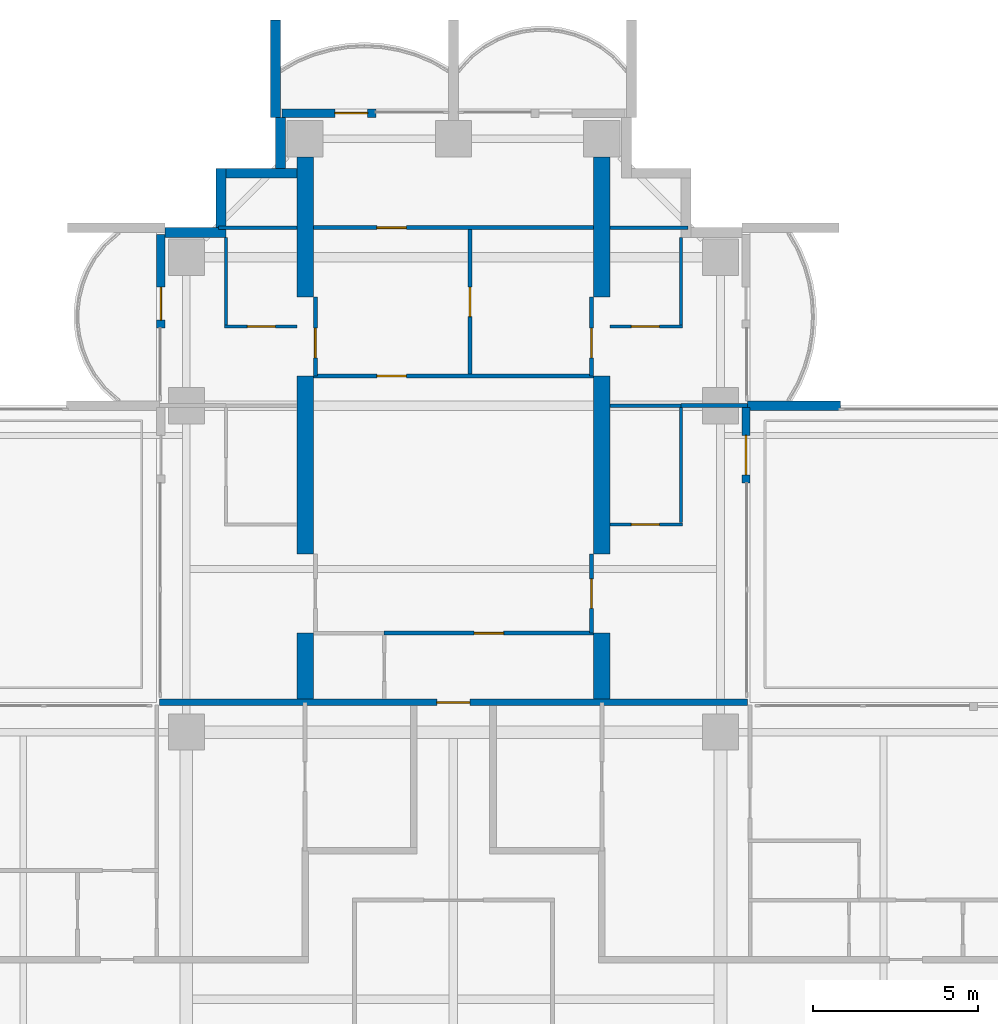
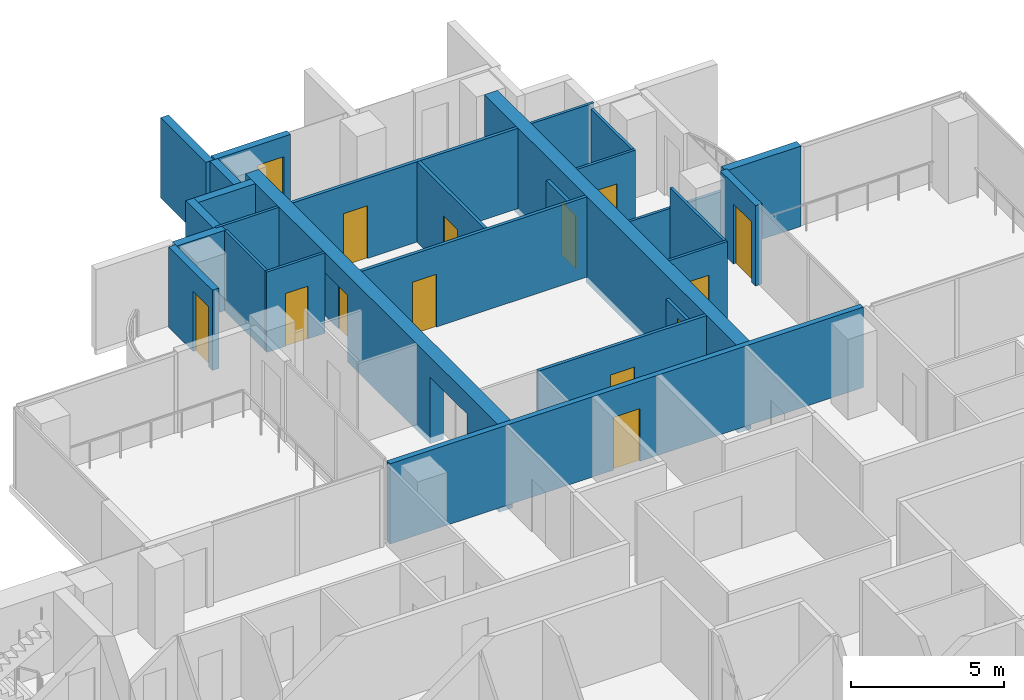
# One storey, part 14 of 19: 29 walls, 14 doors, 14 openings.
"""IFC4 building model written with IfcOpenShell, lengths in metres."""

from ifc_helpers import new_model, si_unit, direction, frame, frame_2d, origin, place, context, subcontext, project, spatial, polyline, rectangle, outline, extrude, material, layer, layer_set, material_profile, profile_set, type_object, element, fill, save


model = new_model("IFC4")

# Units and contexts
model_context = context("Model", 3, precision=1e-05, world=origin(), true_north=direction((0.0, 1.0)))
body_context = subcontext(model_context, "Body", "Model", "MODEL_VIEW")
ifc_project = project(units=[si_unit("LENGTHUNIT", "METRE"), si_unit("AREAUNIT", "SQUARE_METRE"), si_unit("VOLUMEUNIT", "CUBIC_METRE"), si_unit("PLANEANGLEUNIT", "RADIAN"), si_unit("MASSUNIT", "GRAM", prefix="KILO")], contexts=[model_context])

# Site, building, storey
site_placement = place(None, origin())
site = spatial("IfcSite", under=ifc_project, at=site_placement, CompositionType="ELEMENT")
building_placement = place(site_placement, origin())
building = spatial("IfcBuilding", under=site, at=building_placement, Name="Perihelion Cross Residences", CompositionType="ELEMENT")
storey_placement = place(building_placement, frame((0.0, 0.0, 151.39990234375)))
storey = spatial("IfcBuildingStorey", under=building, at=storey_placement, Name="L37", CompositionType="ELEMENT", Elevation=151.39990234375)

# Wall, opening, door
ifc_material_1 = material(Name="Plasterboard partition")
ifc_layer_1 = layer(ifc_material_1, 0.199951171875)
ifc_layer_set_1 = layer_set([ifc_layer_1], Name="Apartment separation wall 200")
wall_type_1 = type_object("IfcWallType", Name="Apartment separation wall 200", PredefinedType="PARTITIONING", material=ifc_layer_set_1)
wall_1_placement = place(storey_placement, frame((-8.919921875, 9.0, 0.0), z_axis=(0.0, 0.0, 1.0), x_axis=(1.0, 0.0, 0.0)))
wall_1 = element("IfcWall", 1, at=wall_1_placement, inside=storey, type_object=wall_type_1, Name="Partition L37 W021", PredefinedType="PARTITIONING", context=body_context, shape_type="SweptSolid", body=[
    extrude(rectangle(XDim=17.83984375, YDim=0.199951171875, at=frame_2d((8.919921875, 0.0))), origin(), (0.0, 0.0, 1.0), 3.2001953125),
])
opening_1_placement = place(wall_1_placement, frame((8.419921875, 0.0, 0.0)))
opening_1 = element("IfcOpeningElement", 2, at=opening_1_placement, cuts=wall_1, Name="Opening L37.A34", PredefinedType="OPENING", context=body_context, shape_type="SweptSolid", body=[
    extrude(rectangle(XDim=1.0, YDim=2.10009765625, at=frame_2d((0.5, 1.050048828125))), frame((0.0, 0.10986328125, 0.0), z_axis=(0.0, -1.0, 0.0), x_axis=(1.0, 0.0, 0.0)), (0.0, 0.0, 1.0), 0.219970703125),
])
ifc_material_2 = material(Name="Timber door leaf", Category="wood")
door_type_1 = type_object("IfcDoorType", Name="Flat entrance door 1000 x 2100", OperationType="SINGLE_SWING_LEFT", PredefinedType="DOOR", material=ifc_material_2)
door_1_placement = place(opening_1_placement, origin())
door_1 = element("IfcDoor", 3, at=door_1_placement, inside=storey, type_object=door_type_1, Name="Door L37.A34", OperationType="SINGLE_SWING_RIGHT", OverallHeight=2.10009765625, OverallWidth=1.0, PredefinedType="DOOR", context=body_context, shape_type="SweptSolid", body=[
    extrude(rectangle(XDim=1.0, YDim=2.10009765625, at=frame_2d((0.5, 1.050048828125))), frame((0.0, 0.02490234375, 0.0), z_axis=(0.0, -1.0, 0.0), x_axis=(1.0, 0.0, 0.0)), (0.0, 0.0, 1.0), 0.050048828125),
])
fill(opening_1, door_1)

ifc_material_3 = material(Name="Concrete C30/37, bronze-clad", Category="concrete")
ifc_layer_2 = layer(ifc_material_3, 0.25)
ifc_layer_set_2 = layer_set([ifc_layer_2], Name="Bronze-clad pier wall 250")
wall_type_2 = type_object("IfcWallType", Name="Bronze-clad pier wall 250", PredefinedType="SOLIDWALL", material=ifc_layer_set_2)
wall_2_placement = place(storey_placement, frame((8.875, 15.64990234375, 0.0), z_axis=(0.0, 0.0, 1.0), x_axis=(0.0, 1.0, 0.0)))
wall_2 = element("IfcWall", 4, at=wall_2_placement, inside=storey, type_object=wall_type_2, Name="Wall FW1 L37 north side east bay 1 pier", PredefinedType="SOLIDWALL", context=body_context, shape_type="SweptSolid", body=[
    extrude(rectangle(XDim=2.2900390625, YDim=0.25, at=frame_2d((1.14501953125, 0.0))), origin(), (0.0, 0.0, 1.0), 3.2001953125),
])
opening_2_placement = place(wall_2_placement, frame((0.25, 0.0, 0.0)))
opening_2 = element("IfcOpeningElement", 5, at=opening_2_placement, cuts=wall_2, Name="Opening L37.E02", PredefinedType="OPENING", context=body_context, shape_type="SweptSolid", body=[
    extrude(rectangle(XDim=1.199951171875, YDim=2.39990234375, at=frame_2d((0.60009765625, 1.199951171875))), frame((0.0, 0.135009765625, 0.0), z_axis=(0.0, -1.0, 0.0), x_axis=(1.0, 0.0, 0.0)), (0.0, 0.0, 1.0), 0.27001953125),
])
ifc_material_4 = material(Name="Bronze anodised aluminium, glazed", Category="aluminium")
door_type_2 = type_object("IfcDoorType", Name="Balcony door 1200 x 2400", OperationType="NOTDEFINED", PredefinedType="DOOR", material=ifc_material_4)
door_2_placement = place(opening_2_placement, origin())
door_2 = element("IfcDoor", 6, at=door_2_placement, inside=storey, type_object=door_type_2, Name="Door L37.E02 north side east bay 1", OperationType="SINGLE_SWING_LEFT", OverallHeight=2.39990234375, OverallWidth=1.199951171875, PredefinedType="DOOR", context=body_context, shape_type="SweptSolid", body=[
    extrude(rectangle(XDim=1.199951171875, YDim=2.39990234375, at=frame_2d((0.60009765625, 1.199951171875))), frame((0.0, 0.02490234375, 0.0), z_axis=(0.0, -1.0, 0.0), x_axis=(1.0, 0.0, 0.0)), (0.0, 0.0, 1.0), 0.050048828125),
])
fill(opening_2, door_2)

wall_3_placement = place(storey_placement, frame((-2.35009765625, 26.875, 0.0), z_axis=(0.0, 0.0, 1.0), x_axis=(-1.0, 0.0, 0.0)))
wall_3 = element("IfcWall", 7, at=wall_3_placement, inside=storey, type_object=wall_type_2, Name="Wall FW1 L37 north tip north bay 2 pier", PredefinedType="SOLIDWALL", context=body_context, shape_type="SweptSolid", body=[
    extrude(rectangle(XDim=2.849853515625, YDim=0.25, at=frame_2d((1.4248046875, 0.0))), origin(), (0.0, 0.0, 1.0), 3.2001953125),
])
opening_3_placement = place(wall_3_placement, frame((0.25, 0.0, 0.0)))
opening_3 = element("IfcOpeningElement", 8, at=opening_3_placement, cuts=wall_3, Name="Opening L37.E05", PredefinedType="OPENING", context=body_context, shape_type="SweptSolid", body=[
    extrude(rectangle(XDim=1.0, YDim=2.39990234375, at=frame_2d((0.5, 1.199951171875))), frame((0.0, 0.135009765625, 0.0), z_axis=(0.0, -1.0, 0.0), x_axis=(1.0, 0.0, 0.0)), (0.0, 0.0, 1.0), 0.27001953125),
])
ifc_material_5 = material(Name="Bronze anodised aluminium, glazed", Category="aluminium")
door_type_3 = type_object("IfcDoorType", Name="Balcony door 1000 x 2400", OperationType="NOTDEFINED", PredefinedType="DOOR", material=ifc_material_5)
door_3_placement = place(opening_3_placement, origin())
door_3 = element("IfcDoor", 9, at=door_3_placement, inside=storey, type_object=door_type_3, Name="Door L37.E05 north tip north bay 2", OperationType="SINGLE_SWING_RIGHT", OverallHeight=2.39990234375, OverallWidth=1.0, PredefinedType="DOOR", context=body_context, shape_type="SweptSolid", body=[
    extrude(rectangle(XDim=1.0, YDim=2.39990234375, at=frame_2d((0.5, 1.199951171875))), frame((0.0, 0.02490234375, 0.0), z_axis=(0.0, -1.0, 0.0), x_axis=(1.0, 0.0, 0.0)), (0.0, 0.0, 1.0), 0.050048828125),
])
fill(opening_3, door_3)

wall_4_placement = place(storey_placement, frame((-8.875, 23.199951171875, 0.0), z_axis=(0.0, 0.0, 1.0), x_axis=(0.0, -1.0, 0.0)))
wall_4 = element("IfcWall", 10, at=wall_4_placement, inside=storey, type_object=wall_type_2, Name="Wall FW1 L37 north side west bay 1 pier", PredefinedType="SOLIDWALL", context=body_context, shape_type="SweptSolid", body=[
    extrude(rectangle(XDim=2.849853515625, YDim=0.25, at=frame_2d((1.4248046875, 0.0))), origin(), (0.0, 0.0, 1.0), 3.2001953125),
])
opening_4_placement = place(wall_4_placement, frame((1.60009765625, 0.0, 0.0)))
opening_4 = element("IfcOpeningElement", 11, at=opening_4_placement, cuts=wall_4, Name="Opening L37.E06", PredefinedType="OPENING", context=body_context, shape_type="SweptSolid", body=[
    extrude(rectangle(XDim=1.0, YDim=2.39990234375, at=frame_2d((0.5, 1.199951171875))), frame((0.0, 0.135009765625, 0.0), z_axis=(0.0, -1.0, 0.0), x_axis=(1.0, 0.0, 0.0)), (0.0, 0.0, 1.0), 0.27001953125),
])
door_4_placement = place(opening_4_placement, origin())
door_4 = element("IfcDoor", 12, at=door_4_placement, inside=storey, type_object=door_type_3, Name="Door L37.E06 north side west bay 1", OperationType="SINGLE_SWING_LEFT", OverallHeight=2.39990234375, OverallWidth=1.0, PredefinedType="DOOR", context=body_context, shape_type="SweptSolid", body=[
    extrude(rectangle(XDim=1.0, YDim=2.39990234375, at=frame_2d((0.5, 1.199951171875))), frame((0.0, 0.02490234375, 0.0), z_axis=(0.0, -1.0, 0.0), x_axis=(1.0, 0.0, 0.0)), (0.0, 0.0, 1.0), 0.050048828125),
])
fill(opening_4, door_4)

# Walls
ifc_material_6 = material(Name="Concrete C30/37, bronze-clad", Category="concrete")
ifc_layer_3 = layer(ifc_material_6, 0.300048828125)
ifc_layer_set_3 = layer_set([ifc_layer_3], Name="Bronze-clad serration wall 300")
wall_type_3 = type_object("IfcWallType", Name="Bronze-clad serration wall 300", PredefinedType="SOLIDWALL", material=ifc_layer_set_3)
wall_5_placement = place(storey_placement, frame((-5.25, 26.75, 0.0), z_axis=(0.0, 0.0, 1.0), x_axis=(0.0, -1.0, 0.0)))
element("IfcWall", 13, at=wall_5_placement, inside=storey, type_object=wall_type_3, Name="Wall SR1 L37 north corner north-west 1", PredefinedType="SOLIDWALL", context=body_context, shape_type="SweptSolid", body=[
    extrude(rectangle(XDim=1.550048828125, YDim=0.300048828125, at=frame_2d((0.77490234375, 0.0))), origin(), (0.0, 0.0, 1.0), 3.2001953125),
])
wall_6_placement = place(storey_placement, frame((-4.75, 25.050048828125, 0.0), z_axis=(0.0, 0.0, 1.0), x_axis=(-1.0, 0.0, 0.0)))
element("IfcWall", 14, at=wall_6_placement, inside=storey, type_object=wall_type_3, Name="Wall SR1 L37 north corner north-west 2", PredefinedType="SOLIDWALL", context=body_context, shape_type="SweptSolid", body=[
    extrude(rectangle(XDim=2.14990234375, YDim=0.300048828125, at=frame_2d((1.074951171875, 0.0))), origin(), (0.0, 0.0, 1.0), 3.2001953125),
])
wall_7_placement = place(storey_placement, frame((-7.050048828125, 25.199951171875, 0.0), z_axis=(0.0, 0.0, 1.0), x_axis=(0.0, -1.0, 0.0)))
element("IfcWall", 15, at=wall_7_placement, inside=storey, type_object=wall_type_3, Name="Wall SR1 L37 north corner north-west 3", PredefinedType="SOLIDWALL", context=body_context, shape_type="SweptSolid", body=[
    extrude(rectangle(XDim=1.800048828125, YDim=0.300048828125, at=frame_2d((0.89990234375, 0.0))), origin(), (0.0, 0.0, 1.0), 3.2001953125),
])
wall_8_placement = place(storey_placement, frame((-6.89990234375, 23.25, 0.0), z_axis=(0.0, 0.0, 1.0), x_axis=(-1.0, 0.0, 0.0)))
element("IfcWall", 16, at=wall_8_placement, inside=storey, type_object=wall_type_3, Name="Wall SR1 L37 north corner north-west 4", PredefinedType="SOLIDWALL", context=body_context, shape_type="SweptSolid", body=[
    extrude(rectangle(XDim=1.85009765625, YDim=0.300048828125, at=frame_2d((0.925048828125, 0.0))), origin(), (0.0, 0.0, 1.0), 3.2001953125),
])

# Wall, opening, door
ifc_material_7 = material(Name="Plasterboard partition")
ifc_layer_4 = layer(ifc_material_7, 0.1201171875)
ifc_layer_set_4 = layer_set([ifc_layer_4], Name="Infill panel 120")
wall_type_4 = type_object("IfcWallType", Name="Infill panel 120", PredefinedType="PARTITIONING", material=ifc_layer_set_4)
wall_9_placement = place(storey_placement, frame((4.18994140625, 11.10009765625, 0.0), z_axis=(0.0, 0.0, 1.0), x_axis=(0.0, 1.0, 0.0)))
wall_9 = element("IfcWall", 17, at=wall_9_placement, inside=storey, type_object=wall_type_4, Name="Partition L37 WI01", PredefinedType="PARTITIONING", context=body_context, shape_type="SweptSolid", body=[
    extrude(rectangle(XDim=2.39990234375, YDim=0.1201171875, at=frame_2d((1.199951171875, 0.0))), origin(), (0.0, 0.0, 1.0), 2.400146484375),
])
opening_5_placement = place(wall_9_placement, frame((0.75, 0.0, 0.0)))
opening_5 = element("IfcOpeningElement", 18, at=opening_5_placement, cuts=wall_9, Name="Opening L37.A54", PredefinedType="OPENING", context=body_context, shape_type="SweptSolid", body=[
    extrude(rectangle(XDim=0.89990234375, YDim=2.10009765625, at=frame_2d((0.449951171875, 1.050048828125))), frame((0.0, 0.070068359375, 0.0), z_axis=(0.0, -1.0, 0.0), x_axis=(1.0, 0.0, 0.0)), (0.0, 0.0, 1.0), 0.14013671875),
])
ifc_material_8 = material(Name="Timber door leaf", Category="wood")
door_type_4 = type_object("IfcDoorType", Name="Interior room door 900 x 2100", OperationType="SINGLE_SWING_LEFT", PredefinedType="DOOR", material=ifc_material_8)
door_5_placement = place(opening_5_placement, origin())
door_5 = element("IfcDoor", 19, at=door_5_placement, inside=storey, type_object=door_type_4, Name="Door L37.A54", OperationType="SINGLE_SWING_RIGHT", OverallHeight=2.10009765625, OverallWidth=0.89990234375, PredefinedType="DOOR", context=body_context, shape_type="SweptSolid", body=[
    extrude(rectangle(XDim=0.89990234375, YDim=2.10009765625, at=frame_2d((0.449951171875, 1.050048828125))), frame((0.0, 0.02490234375, 0.0), z_axis=(0.0, -1.0, 0.0), x_axis=(1.0, 0.0, 0.0)), (0.0, 0.0, 1.0), 0.050048828125),
])
fill(opening_5, door_5)

wall_10_placement = place(storey_placement, frame((4.18994140625, 18.89990234375, 0.0), z_axis=(0.0, 0.0, 1.0), x_axis=(0.0, 1.0, 0.0)))
wall_10 = element("IfcWall", 20, at=wall_10_placement, inside=storey, type_object=wall_type_4, Name="Partition L37 WI02", PredefinedType="PARTITIONING", context=body_context, shape_type="SweptSolid", body=[
    extrude(rectangle(XDim=2.400146484375, YDim=0.1201171875, at=frame_2d((1.2001953125, 0.0))), origin(), (0.0, 0.0, 1.0), 2.400146484375),
])
opening_6_placement = place(wall_10_placement, frame((0.550048828125, 0.0, 0.0)))
opening_6 = element("IfcOpeningElement", 21, at=opening_6_placement, cuts=wall_10, Name="Opening L37.A55", PredefinedType="OPENING", context=body_context, shape_type="SweptSolid", body=[
    extrude(rectangle(XDim=0.89990234375, YDim=2.10009765625, at=frame_2d((0.449951171875, 1.050048828125))), frame((0.0, 0.070068359375, 0.0), z_axis=(0.0, -1.0, 0.0), x_axis=(1.0, 0.0, 0.0)), (0.0, 0.0, 1.0), 0.14013671875),
])
door_6_placement = place(opening_6_placement, origin())
door_6 = element("IfcDoor", 22, at=door_6_placement, inside=storey, type_object=door_type_4, Name="Door L37.A55", OperationType="SINGLE_SWING_LEFT", OverallHeight=2.10009765625, OverallWidth=0.89990234375, PredefinedType="DOOR", context=body_context, shape_type="SweptSolid", body=[
    extrude(rectangle(XDim=0.89990234375, YDim=2.10009765625, at=frame_2d((0.449951171875, 1.050048828125))), frame((0.0, 0.02490234375, 0.0), z_axis=(0.0, -1.0, 0.0), x_axis=(1.0, 0.0, 0.0)), (0.0, 0.0, 1.0), 0.050048828125),
])
fill(opening_6, door_6)

wall_11_placement = place(storey_placement, frame((-4.18994140625, 18.89990234375, 0.0), z_axis=(0.0, 0.0, 1.0), x_axis=(0.0, 1.0, 0.0)))
wall_11 = element("IfcWall", 23, at=wall_11_placement, inside=storey, type_object=wall_type_4, Name="Partition L37 WI04", PredefinedType="PARTITIONING", context=body_context, shape_type="SweptSolid", body=[
    extrude(rectangle(XDim=2.400146484375, YDim=0.1201171875, at=frame_2d((1.2001953125, 0.0))), origin(), (0.0, 0.0, 1.0), 2.400146484375),
])
opening_7_placement = place(wall_11_placement, frame((0.550048828125, 0.0, 0.0)))
opening_7 = element("IfcOpeningElement", 24, at=opening_7_placement, cuts=wall_11, Name="Opening L37.A57", PredefinedType="OPENING", context=body_context, shape_type="SweptSolid", body=[
    extrude(rectangle(XDim=0.89990234375, YDim=2.10009765625, at=frame_2d((0.449951171875, 1.050048828125))), frame((0.0, 0.070068359375, 0.0), z_axis=(0.0, -1.0, 0.0), x_axis=(1.0, 0.0, 0.0)), (0.0, 0.0, 1.0), 0.14013671875),
])
door_7_placement = place(opening_7_placement, origin())
door_7 = element("IfcDoor", 25, at=door_7_placement, inside=storey, type_object=door_type_4, Name="Door L37.A57", OperationType="SINGLE_SWING_RIGHT", OverallHeight=2.10009765625, OverallWidth=0.89990234375, PredefinedType="DOOR", context=body_context, shape_type="SweptSolid", body=[
    extrude(rectangle(XDim=0.89990234375, YDim=2.10009765625, at=frame_2d((0.449951171875, 1.050048828125))), frame((0.0, 0.02490234375, 0.0), z_axis=(0.0, -1.0, 0.0), x_axis=(1.0, 0.0, 0.0)), (0.0, 0.0, 1.0), 0.050048828125),
])
fill(opening_7, door_7)

ifc_material_9 = material(Name="Plasterboard partition")
ifc_layer_5 = layer(ifc_material_9, 0.1201171875)
ifc_layer_set_5 = layer_set([ifc_layer_5], Name="Partition wall 120")
wall_type_5 = type_object("IfcWallType", Name="Partition wall 120", PredefinedType="PARTITIONING", material=ifc_layer_set_5)
wall_12_placement = place(storey_placement, frame((-2.10009765625, 11.10009765625, 0.0), z_axis=(0.0, 0.0, 1.0), x_axis=(1.0, 0.0, 0.0)))
wall_12 = element("IfcWall", 26, at=wall_12_placement, inside=storey, type_object=wall_type_5, Name="Partition L37 W068", PredefinedType="PARTITIONING", context=body_context, shape_type="SweptSolid", body=[
    extrude(rectangle(XDim=6.35009765625, YDim=0.1201171875, at=frame_2d((3.175048828125, 0.0))), origin(), (0.0, 0.0, 1.0), 3.2001953125),
])
opening_8_placement = place(wall_12_placement, frame((2.72509765625, 0.0, 0.0)))
opening_8 = element("IfcOpeningElement", 27, at=opening_8_placement, cuts=wall_12, Name="Opening L37.A36", PredefinedType="OPENING", context=body_context, shape_type="SweptSolid", body=[
    extrude(rectangle(XDim=0.89990234375, YDim=2.10009765625, at=frame_2d((0.449951171875, 1.050048828125))), frame((0.0, 0.070068359375, 0.0), z_axis=(0.0, -1.0, 0.0), x_axis=(1.0, 0.0, 0.0)), (0.0, 0.0, 1.0), 0.14013671875),
])
door_8_placement = place(opening_8_placement, origin())
door_8 = element("IfcDoor", 28, at=door_8_placement, inside=storey, type_object=door_type_4, Name="Door L37.A36", OperationType="SINGLE_SWING_RIGHT", OverallHeight=2.10009765625, OverallWidth=0.89990234375, PredefinedType="DOOR", context=body_context, shape_type="SweptSolid", body=[
    extrude(rectangle(XDim=0.89990234375, YDim=2.10009765625, at=frame_2d((0.449951171875, 1.050048828125))), frame((0.0, 0.02490234375, 0.0), z_axis=(0.0, -1.0, 0.0), x_axis=(1.0, 0.0, 0.0)), (0.0, 0.0, 1.0), 0.050048828125),
])
fill(opening_8, door_8)

wall_13_placement = place(storey_placement, frame((-4.25, 18.89990234375, 0.0), z_axis=(0.0, 0.0, 1.0), x_axis=(1.0, 0.0, 0.0)))
wall_13 = element("IfcWall", 29, at=wall_13_placement, inside=storey, type_object=wall_type_5, Name="Partition L37 W070", PredefinedType="PARTITIONING", context=body_context, shape_type="SweptSolid", body=[
    extrude(rectangle(XDim=8.5, YDim=0.1201171875, at=frame_2d((4.25, 0.0))), origin(), (0.0, 0.0, 1.0), 3.2001953125),
])
opening_9_placement = place(wall_13_placement, frame((1.925048828125, 0.0, 0.0)))
opening_9 = element("IfcOpeningElement", 30, at=opening_9_placement, cuts=wall_13, Name="Opening L37.A37", PredefinedType="OPENING", context=body_context, shape_type="SweptSolid", body=[
    extrude(rectangle(XDim=0.89990234375, YDim=2.10009765625, at=frame_2d((0.449951171875, 1.050048828125))), frame((0.0, 0.070068359375, 0.0), z_axis=(0.0, -1.0, 0.0), x_axis=(1.0, 0.0, 0.0)), (0.0, 0.0, 1.0), 0.14013671875),
])
door_9_placement = place(opening_9_placement, origin())
door_9 = element("IfcDoor", 31, at=door_9_placement, inside=storey, type_object=door_type_4, Name="Door L37.A37", OperationType="SINGLE_SWING_RIGHT", OverallHeight=2.10009765625, OverallWidth=0.89990234375, PredefinedType="DOOR", context=body_context, shape_type="SweptSolid", body=[
    extrude(rectangle(XDim=0.89990234375, YDim=2.10009765625, at=frame_2d((0.449951171875, 1.050048828125))), frame((0.0, 0.02490234375, 0.0), z_axis=(0.0, -1.0, 0.0), x_axis=(1.0, 0.0, 0.0)), (0.0, 0.0, 1.0), 0.050048828125),
])
fill(opening_9, door_9)

wall_14_placement = place(storey_placement, frame((0.5, 23.340087890625, 0.0), z_axis=(0.0, 0.0, 1.0), x_axis=(0.0, -1.0, 0.0)))
wall_14 = element("IfcWall", 32, at=wall_14_placement, inside=storey, type_object=wall_type_5, Name="Partition L37 W071", PredefinedType="PARTITIONING", context=body_context, shape_type="SweptSolid", body=[
    extrude(rectangle(XDim=4.380126953125, YDim=0.1201171875, at=frame_2d((2.18994140625, 0.0))), origin(), (0.0, 0.0, 1.0), 3.2001953125),
])
opening_10_placement = place(wall_14_placement, frame((1.739990234375, 0.0, 0.0)))
opening_10 = element("IfcOpeningElement", 33, at=opening_10_placement, cuts=wall_14, Name="Opening L37.A38", PredefinedType="OPENING", context=body_context, shape_type="SweptSolid", body=[
    extrude(rectangle(XDim=0.89990234375, YDim=2.10009765625, at=frame_2d((0.449951171875, 1.050048828125))), frame((0.0, 0.070068359375, 0.0), z_axis=(0.0, -1.0, 0.0), x_axis=(1.0, 0.0, 0.0)), (0.0, 0.0, 1.0), 0.14013671875),
])
door_10_placement = place(opening_10_placement, origin())
door_10 = element("IfcDoor", 34, at=door_10_placement, inside=storey, type_object=door_type_4, Name="Door L37.A38", OperationType="SINGLE_SWING_LEFT", OverallHeight=2.10009765625, OverallWidth=0.89990234375, PredefinedType="DOOR", context=body_context, shape_type="SweptSolid", body=[
    extrude(rectangle(XDim=0.89990234375, YDim=2.10009765625, at=frame_2d((0.449951171875, 1.050048828125))), frame((0.0, 0.02490234375, 0.0), z_axis=(0.0, -1.0, 0.0), x_axis=(1.0, 0.0, 0.0)), (0.0, 0.0, 1.0), 0.050048828125),
])
fill(opening_10, door_10)

wall_15_placement = place(storey_placement, frame((-4.25, 23.39990234375, 0.0), z_axis=(0.0, 0.0, 1.0), x_axis=(1.0, 0.0, 0.0)))
wall_15 = element("IfcWall", 35, at=wall_15_placement, inside=storey, type_object=wall_type_5, Name="Partition L37 W072", PredefinedType="PARTITIONING", context=body_context, shape_type="SweptSolid", body=[
    extrude(rectangle(XDim=8.5, YDim=0.1201171875, at=frame_2d((4.25, 0.0))), origin(), (0.0, 0.0, 1.0), 3.2001953125),
])
opening_11_placement = place(wall_15_placement, frame((1.925048828125, 0.0, 0.0)))
opening_11 = element("IfcOpeningElement", 36, at=opening_11_placement, cuts=wall_15, Name="Opening L37.A39", PredefinedType="OPENING", context=body_context, shape_type="SweptSolid", body=[
    extrude(rectangle(XDim=0.89990234375, YDim=2.10009765625, at=frame_2d((0.449951171875, 1.050048828125))), frame((0.0, 0.070068359375, 0.0), z_axis=(0.0, -1.0, 0.0), x_axis=(1.0, 0.0, 0.0)), (0.0, 0.0, 1.0), 0.14013671875),
])
door_11_placement = place(opening_11_placement, origin())
door_11 = element("IfcDoor", 37, at=door_11_placement, inside=storey, type_object=door_type_4, Name="Door L37.A39", OperationType="SINGLE_SWING_LEFT", OverallHeight=2.10009765625, OverallWidth=0.89990234375, PredefinedType="DOOR", context=body_context, shape_type="SweptSolid", body=[
    extrude(rectangle(XDim=0.89990234375, YDim=2.10009765625, at=frame_2d((0.449951171875, 1.050048828125))), frame((0.0, 0.02490234375, 0.0), z_axis=(0.0, -1.0, 0.0), x_axis=(1.0, 0.0, 0.0)), (0.0, 0.0, 1.0), 0.050048828125),
])
fill(opening_11, door_11)

# Walls
wall_16_placement = place(storey_placement, frame((6.89990234375, 18.0, 0.0), z_axis=(0.0, 0.0, 1.0), x_axis=(1.0, 0.0, 0.0)))
element("IfcWall", 38, at=wall_16_placement, inside=storey, type_object=wall_type_5, Name="Partition L37 W075", PredefinedType="PARTITIONING", context=body_context, shape_type="SweptSolid", body=[
    extrude(rectangle(XDim=2.02001953125, YDim=0.1201171875, at=frame_2d((1.010009765625, 0.0))), origin(), (0.0, 0.0, 1.0), 2.364013671875),
])
ifc_material_10 = material(Name="Precast concrete C50/60", Category="concrete")
ifc_layer_6 = layer(ifc_material_10, 0.300048828125)
ifc_layer_set_6 = layer_set([ifc_layer_6], Name="Precast concrete C50/60 blade wall 300")
wall_type_6 = type_object("IfcWallType", Name="Precast concrete C50/60 blade wall 300", PredefinedType="SOLIDWALL", material=ifc_layer_set_6)
wall_17_placement = place(storey_placement, frame((-5.39990234375, 26.75, 0.0), z_axis=(0.0, 0.0, 1.0), x_axis=(0.0, 1.0, 0.0)))
element("IfcWall", 39, at=wall_17_placement, inside=storey, type_object=wall_type_6, Name="Wall BL1 L37 no. 4", PredefinedType="SOLIDWALL", context=body_context, shape_type="SweptSolid", body=[
    extrude(rectangle(XDim=2.949951171875, YDim=0.300048828125, at=frame_2d((1.47509765625, 0.0))), origin(), (0.0, 0.0, 1.0), 3.2001953125),
])
wall_18_placement = place(storey_placement, frame((8.919921875, 18.0, 0.0), z_axis=(0.0, 0.0, 1.0), x_axis=(1.0, 0.0, 0.0)))
element("IfcWall", 40, at=wall_18_placement, inside=storey, type_object=wall_type_6, Name="Wall BL1 L37 no. 15", PredefinedType="SOLIDWALL", context=body_context, shape_type="SweptSolid", body=[
    extrude(rectangle(XDim=2.820068359375, YDim=0.300048828125, at=frame_2d((1.41015625, 0.0))), origin(), (0.0, 0.0, 1.0), 3.2001953125),
])
ifc_material_11 = material(Name="Concrete C60/75", Category="concrete")
ifc_material_profile = material_profile(ifc_material_11, outline(polyline([(0.0, 0.0), (2.10009765625, 0.0), (2.10009765625, 2.64990234375), (4.5, 2.64990234375), (4.5, 0.0), (9.89990234375, 0.0), (9.89990234375, 2.64990234375), (12.300048828125, 2.64990234375), (12.300048828125, 0.0), (16.550048828125, 0.0), (16.550048828125, 3.449951171875), (0.0, 3.449951171875), (0.0, 0.0)])), Name="Tip spine wall")
ifc_profile_set = profile_set([ifc_material_profile], Name="Concrete C60/75")
wall_type_7 = type_object("IfcWallType", Name="Tip spine wall 500 with 2 door openings 16550 long 3450 high concrete C60/75", PredefinedType="SHEAR", material=ifc_profile_set)
for number, where, z_axis, x_axis, name in (
    (41, (-4.75, 9.0, -0.25), (1.0, 0.0, 0.0), (0.0, 1.0, 0.0), "Shear wall SW36 L37 north west"),
    (42, (4.25, 9.0, -0.25), (1.0, 0.0, 0.0), (0.0, 1.0, 0.0), "Shear wall SW36 L37 north east"),
):
    element("IfcWall", number, at=place(storey_placement, frame(where, z_axis=z_axis, x_axis=x_axis)), inside=storey, type_object=wall_type_7, Name=name, PredefinedType="SHEAR", context=body_context, shape_type="SweptSolid", body=[
        extrude(outline(polyline([(0.0, 0.0), (2.10009765625, 0.0), (2.10009765625, 2.64990234375), (4.5, 2.64990234375), (4.5, 0.0), (9.89990234375, 0.0), (9.89990234375, 2.64990234375), (12.300048828125, 2.64990234375), (12.300048828125, 0.0), (16.550048828125, 0.0), (16.550048828125, 3.449951171875), (0.0, 3.449951171875), (0.0, 0.0)])), origin(), (0.0, 0.0, 1.0), 0.5),
    ])

# Wall, opening, door
ifc_material_12 = material(Name="Plasterboard partition")
ifc_layer_7 = layer(ifc_material_12, 0.10009765625)
ifc_layer_set_7 = layer_set([ifc_layer_7], Name="Wet room wall 100")
wall_type_8 = type_object("IfcWallType", Name="Wet room wall 100", PredefinedType="PARTITIONING", material=ifc_layer_set_7)
wall_19_placement = place(storey_placement, frame((4.75, 14.39990234375, 0.0), z_axis=(0.0, 0.0, 1.0), x_axis=(1.0, 0.0, 0.0)))
wall_19 = element("IfcWall", 43, at=wall_19_placement, inside=storey, type_object=wall_type_8, Name="Partition L37 W073", PredefinedType="PARTITIONING", context=body_context, shape_type="SweptSolid", body=[
    extrude(rectangle(XDim=2.199951171875, YDim=0.10009765625, at=frame_2d((1.10009765625, 0.0))), origin(), (0.0, 0.0, 1.0), 3.2001953125),
])
opening_12_placement = place(wall_19_placement, frame((0.64990234375, 0.0, 0.0)))
opening_12 = element("IfcOpeningElement", 44, at=opening_12_placement, cuts=wall_19, Name="Opening L37.A40", PredefinedType="OPENING", context=body_context, shape_type="SweptSolid", body=[
    extrude(rectangle(XDim=0.85009765625, YDim=2.10009765625, at=frame_2d((0.425048828125, 1.050048828125))), frame((0.0, 0.06005859375, 0.0), z_axis=(0.0, -1.0, 0.0), x_axis=(1.0, 0.0, 0.0)), (0.0, 0.0, 1.0), 0.1201171875),
])
ifc_material_13 = material(Name="Timber door leaf", Category="wood")
door_type_5 = type_object("IfcDoorType", Name="Interior bathroom door 850 x 2100", OperationType="SINGLE_SWING_LEFT", PredefinedType="DOOR", material=ifc_material_13)
door_12_placement = place(opening_12_placement, origin())
door_12 = element("IfcDoor", 45, at=door_12_placement, inside=storey, type_object=door_type_5, Name="Door L37.A40", OperationType="SINGLE_SWING_RIGHT", OverallHeight=2.10009765625, OverallWidth=0.85009765625, PredefinedType="DOOR", context=body_context, shape_type="SweptSolid", body=[
    extrude(rectangle(XDim=0.85009765625, YDim=2.10009765625, at=frame_2d((0.425048828125, 1.050048828125))), frame((0.0, 0.02490234375, 0.0), z_axis=(0.0, -1.0, 0.0), x_axis=(1.0, 0.0, 0.0)), (0.0, 0.0, 1.0), 0.050048828125),
])
fill(opening_12, door_12)

# Walls
wall_20_placement = place(storey_placement, frame((6.89990234375, 14.449951171875, 0.0), z_axis=(0.0, 0.0, 1.0), x_axis=(0.0, 1.0, 0.0)))
element("IfcWall", 46, at=wall_20_placement, inside=storey, type_object=wall_type_8, Name="Partition L37 W074", PredefinedType="PARTITIONING", context=body_context, shape_type="SweptSolid", body=[
    extrude(rectangle(XDim=3.489990234375, YDim=0.10009765625, at=frame_2d((1.7451171875, 0.0))), origin(), (0.0, 0.0, 1.0), 3.2001953125),
])
wall_21_placement = place(storey_placement, frame((4.75, 18.0, 0.0), z_axis=(0.0, 0.0, 1.0), x_axis=(1.0, 0.0, 0.0)))
element("IfcWall", 47, at=wall_21_placement, inside=storey, type_object=wall_type_8, Name="Partition L37 W076", PredefinedType="PARTITIONING", context=body_context, shape_type="SweptSolid", body=[
    extrude(rectangle(XDim=2.14990234375, YDim=0.10009765625, at=frame_2d((1.074951171875, 0.0))), origin(), (0.0, 0.0, 1.0), 2.364013671875),
])

# Wall, opening, door
wall_22_placement = place(storey_placement, frame((4.75, 20.39990234375, 0.0), z_axis=(0.0, 0.0, 1.0), x_axis=(1.0, 0.0, 0.0)))
wall_22 = element("IfcWall", 48, at=wall_22_placement, inside=storey, type_object=wall_type_8, Name="Partition L37 W077", PredefinedType="PARTITIONING", context=body_context, shape_type="SweptSolid", body=[
    extrude(rectangle(XDim=2.199951171875, YDim=0.10009765625, at=frame_2d((1.10009765625, 0.0))), origin(), (0.0, 0.0, 1.0), 3.2001953125),
])
opening_13_placement = place(wall_22_placement, frame((0.64990234375, 0.0, 0.0)))
opening_13 = element("IfcOpeningElement", 49, at=opening_13_placement, cuts=wall_22, Name="Opening L37.A41", PredefinedType="OPENING", context=body_context, shape_type="SweptSolid", body=[
    extrude(rectangle(XDim=0.85009765625, YDim=2.10009765625, at=frame_2d((0.425048828125, 1.050048828125))), frame((0.0, 0.06005859375, 0.0), z_axis=(0.0, -1.0, 0.0), x_axis=(1.0, 0.0, 0.0)), (0.0, 0.0, 1.0), 0.1201171875),
])
door_13_placement = place(opening_13_placement, origin())
door_13 = element("IfcDoor", 50, at=door_13_placement, inside=storey, type_object=door_type_5, Name="Door L37.A41", OperationType="SINGLE_SWING_LEFT", OverallHeight=2.10009765625, OverallWidth=0.85009765625, PredefinedType="DOOR", context=body_context, shape_type="SweptSolid", body=[
    extrude(rectangle(XDim=0.85009765625, YDim=2.10009765625, at=frame_2d((0.425048828125, 1.050048828125))), frame((0.0, 0.02490234375, 0.0), z_axis=(0.0, -1.0, 0.0), x_axis=(1.0, 0.0, 0.0)), (0.0, 0.0, 1.0), 0.050048828125),
])
fill(opening_13, door_13)

# Walls
wall_23_placement = place(storey_placement, frame((6.89990234375, 20.449951171875, 0.0), z_axis=(0.0, 0.0, 1.0), x_axis=(0.0, 1.0, 0.0)))
element("IfcWall", 51, at=wall_23_placement, inside=storey, type_object=wall_type_8, Name="Partition L37 W078", PredefinedType="PARTITIONING", context=body_context, shape_type="SweptSolid", body=[
    extrude(rectangle(XDim=2.650146484375, YDim=0.10009765625, at=frame_2d((1.3251953125, 0.0))), origin(), (0.0, 0.0, 1.0), 3.2001953125),
])
wall_24_placement = place(storey_placement, frame((4.75, 23.39990234375, 0.0), z_axis=(0.0, 0.0, 1.0), x_axis=(1.0, 0.0, 0.0)))
element("IfcWall", 52, at=wall_24_placement, inside=storey, type_object=wall_type_8, Name="Partition L37 W079", PredefinedType="PARTITIONING", context=body_context, shape_type="SweptSolid", body=[
    extrude(rectangle(XDim=2.3701171875, YDim=0.10009765625, at=frame_2d((1.18505859375, 0.0))), origin(), (0.0, 0.0, 1.0), 3.2001953125),
])
wall_25_placement = place(storey_placement, frame((-6.89990234375, 23.10009765625, 0.0), z_axis=(0.0, 0.0, 1.0), x_axis=(0.0, -1.0, 0.0)))
element("IfcWall", 53, at=wall_25_placement, inside=storey, type_object=wall_type_8, Name="Partition L37 W084", PredefinedType="PARTITIONING", context=body_context, shape_type="SweptSolid", body=[
    extrude(rectangle(XDim=2.650146484375, YDim=0.10009765625, at=frame_2d((1.3251953125, 0.0))), origin(), (0.0, 0.0, 1.0), 3.2001953125),
])

# Wall, opening, door
wall_26_placement = place(storey_placement, frame((-6.949951171875, 20.39990234375, 0.0), z_axis=(0.0, 0.0, 1.0), x_axis=(1.0, 0.0, 0.0)))
wall_26 = element("IfcWall", 54, at=wall_26_placement, inside=storey, type_object=wall_type_8, Name="Partition L37 W085", PredefinedType="PARTITIONING", context=body_context, shape_type="SweptSolid", body=[
    extrude(rectangle(XDim=2.199951171875, YDim=0.10009765625, at=frame_2d((1.10009765625, 0.0))), origin(), (0.0, 0.0, 1.0), 3.2001953125),
])
opening_14_placement = place(wall_26_placement, frame((0.699951171875, 0.0, 0.0)))
opening_14 = element("IfcOpeningElement", 55, at=opening_14_placement, cuts=wall_26, Name="Opening L37.A43", PredefinedType="OPENING", context=body_context, shape_type="SweptSolid", body=[
    extrude(rectangle(XDim=0.85009765625, YDim=2.10009765625, at=frame_2d((0.425048828125, 1.050048828125))), frame((0.0, 0.06005859375, 0.0), z_axis=(0.0, -1.0, 0.0), x_axis=(1.0, 0.0, 0.0)), (0.0, 0.0, 1.0), 0.1201171875),
])
door_14_placement = place(opening_14_placement, origin())
door_14 = element("IfcDoor", 56, at=door_14_placement, inside=storey, type_object=door_type_5, Name="Door L37.A43", OperationType="SINGLE_SWING_LEFT", OverallHeight=2.10009765625, OverallWidth=0.85009765625, PredefinedType="DOOR", context=body_context, shape_type="SweptSolid", body=[
    extrude(rectangle(XDim=0.85009765625, YDim=2.10009765625, at=frame_2d((0.425048828125, 1.050048828125))), frame((0.0, 0.02490234375, 0.0), z_axis=(0.0, -1.0, 0.0), x_axis=(1.0, 0.0, 0.0)), (0.0, 0.0, 1.0), 0.050048828125),
])
fill(opening_14, door_14)

# Wall
wall_27_placement = place(storey_placement, frame((-7.1201171875, 23.39990234375, 0.0), z_axis=(0.0, 0.0, 1.0), x_axis=(1.0, 0.0, 0.0)))
element("IfcWall", 57, at=wall_27_placement, inside=storey, type_object=wall_type_8, Name="Partition L37 W086", PredefinedType="PARTITIONING", context=body_context, shape_type="SweptSolid", body=[
    extrude(rectangle(XDim=2.3701171875, YDim=0.10009765625, at=frame_2d((1.18505859375, 0.0))), origin(), (0.0, 0.0, 1.0), 3.2001953125),
])

save(model, "model.ifc")
